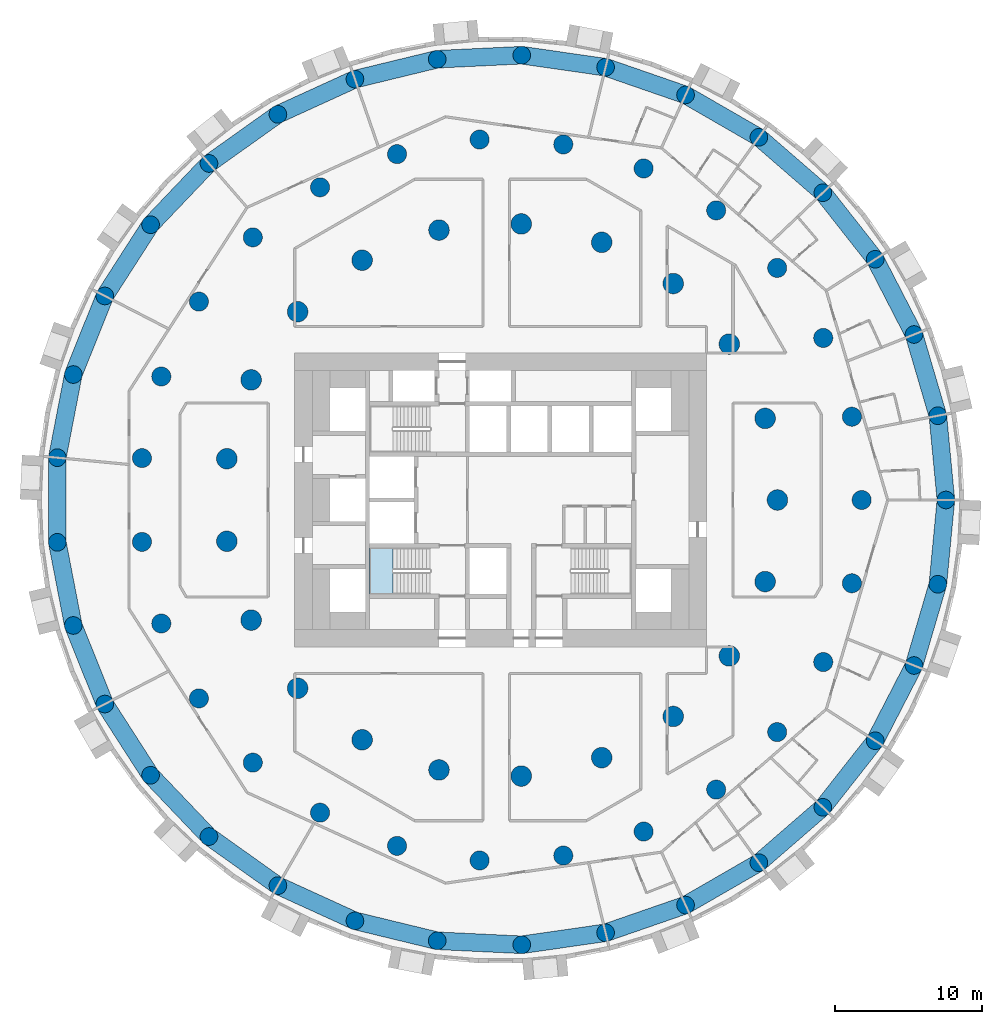
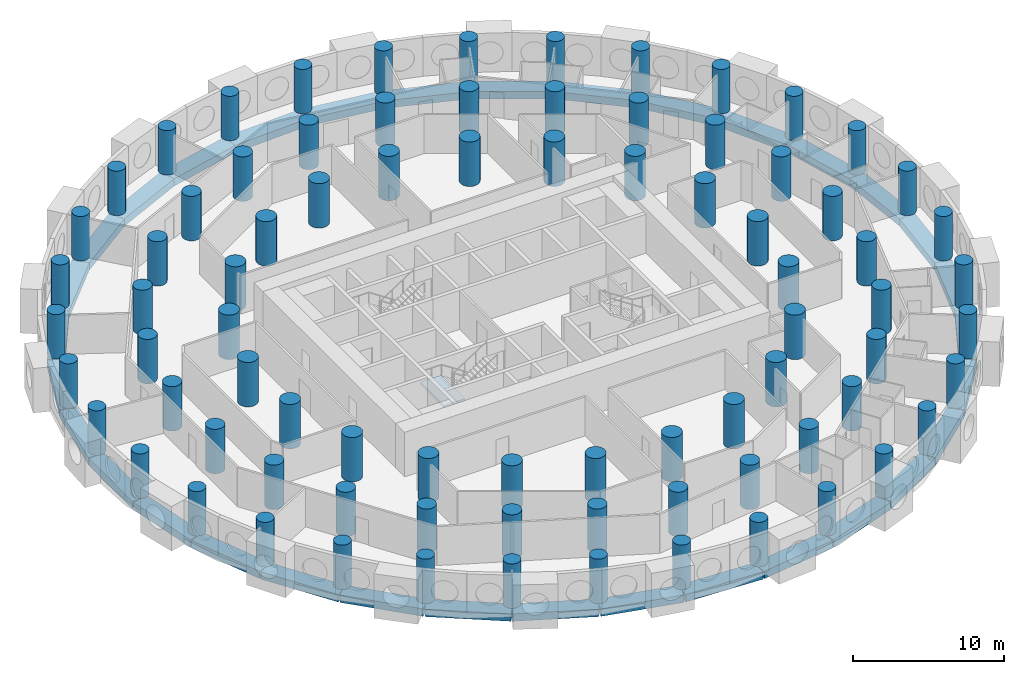
# One storey, part 1 of 12: 81 columns, 33 beams, 1 slab, 1 element without a shape of its own.
"""IFC4 building model written with IfcOpenShell, lengths in metres."""

from ifc_helpers import new_model, si_unit, direction, frame, origin, origin_2d, place, context, subcontext, project, spatial, polyline, rectangle, circle, outline, extrude, material, layer, layer_set, material_profile, profile_set, type_object, element, aggregate, save


model = new_model("IFC4")

# Units and contexts
model_context = context("Model", 3, precision=1e-05, world=origin(), true_north=direction((0.0, 1.0)))
body_context = subcontext(model_context, "Body", "Model", "MODEL_VIEW")
ifc_project = project(units=[si_unit("LENGTHUNIT", "METRE"), si_unit("AREAUNIT", "SQUARE_METRE"), si_unit("VOLUMEUNIT", "CUBIC_METRE"), si_unit("PLANEANGLEUNIT", "RADIAN"), si_unit("MASSUNIT", "GRAM", prefix="KILO")], contexts=[model_context])

# Site, building, storey
site_placement = place(None, origin())
site = spatial("IfcSite", under=ifc_project, at=site_placement, CompositionType="ELEMENT")
building_placement = place(site_placement, origin())
building = spatial("IfcBuilding", under=site, at=building_placement, Name="Tracery Tower", CompositionType="ELEMENT")
storey_placement = place(building_placement, frame((0.0, 0.0, 75.0)))
storey = spatial("IfcBuildingStorey", under=building, at=storey_placement, Name="L18", CompositionType="ELEMENT", Elevation=75.0)

# Columns
ifc_material_1 = material(Name="Concrete C60/75", Category="concrete")
ifc_material_profile_1 = material_profile(ifc_material_1, circle(Radius=0.60009765625, at=origin_2d()), Name="RC D1200")
ifc_profile_set_1 = profile_set([ifc_material_profile_1], Name="Concrete C60/75")
column_type_1 = type_object("IfcColumnType", Name="Ring 0 column 1200", PredefinedType="COLUMN", material=ifc_profile_set_1)
for number, where, z_axis, x_axis, name in (
    (1, (30.274658203125, 0.0, 0.0), (0.0, 0.0, 1.0), (1.0, 0.0, 0.0), "Ring 0 column 00 at L18"),
    (2, (29.7275390625, 5.7294921875, 0.0), (0.0, 0.0, 1.0), (1.0, 0.0, 0.0), "Ring 0 column 01 at L18"),
    (3, (28.10595703125, 11.251953125, 0.0), (0.0, 0.0, 1.0), (1.0, 0.0, 0.0), "Ring 0 column 02 at L18"),
    (4, (25.468505859375, 16.36767578125, 0.0), (0.0, 0.0, 1.0), (1.0, 0.0, 0.0), "Ring 0 column 03 at L18"),
    (5, (21.910888671875, 20.891845703125, 0.0), (0.0, 0.0, 1.0), (1.0, 0.0, 0.0), "Ring 0 column 04 at L18"),
    (6, (17.56103515625, 24.660888671875, 0.0), (0.0, 0.0, 1.0), (1.0, 0.0, 0.0), "Ring 0 column 05 at L18"),
    (7, (12.576416015625, 27.538818359375, 0.0), (0.0, 0.0, 1.0), (1.0, 0.0, 0.0), "Ring 0 column 06 at L18"),
    (8, (7.137451171875, 29.421142578125, 0.0), (0.0, 0.0, 1.0), (1.0, 0.0, 0.0), "Ring 0 column 07 at L18"),
    (9, (1.4404296875, 30.240234375, 0.0), (0.0, 0.0, 1.0), (1.0, 0.0, 0.0), "Ring 0 column 08 at L18"),
    (10, (-4.30859375, 29.96630859375, 0.0), (0.0, 0.0, 1.0), (1.0, 0.0, 0.0), "Ring 0 column 09 at L18"),
    (11, (-9.90185546875, 28.609619140625, 0.0), (0.0, 0.0, 1.0), (1.0, 0.0, 0.0), "Ring 0 column 10 at L18"),
    (12, (-15.13720703125, 26.218505859375, 0.0), (0.0, 0.0, 1.0), (1.0, 0.0, 0.0), "Ring 0 column 11 at L18"),
    (13, (-19.82568359375, 22.8798828125, 0.0), (0.0, 0.0, 1.0), (1.0, 0.0, 0.0), "Ring 0 column 12 at L18"),
    (14, (-23.79736328125, 18.714599609375, 0.0), (0.0, 0.0, 1.0), (1.0, 0.0, 0.0), "Ring 0 column 13 at L18"),
    (15, (-26.9091796875, 13.87255859375, 0.0), (0.0, 0.0, 1.0), (1.0, 0.0, 0.0), "Ring 0 column 14 at L18"),
    (16, (-29.04833984375, 8.529296875, 0.0), (0.0, 0.0, 1.0), (1.0, 0.0, 0.0), "Ring 0 column 15 at L18"),
    (17, (-30.137451171875, 2.877685546875, 0.0), (0.0, 0.0, 1.0), (1.0, 0.0, 0.0), "Ring 0 column 16 at L18"),
    (18, (-30.137451171875, -2.877685546875, 0.0), (0.0, 0.0, 1.0), (1.0, 0.0, 0.0), "Ring 0 column 17 at L18"),
    (19, (-29.04833984375, -8.529296875, 0.0), (0.0, 0.0, 1.0), (1.0, 0.0, 0.0), "Ring 0 column 18 at L18"),
    (20, (-26.9091796875, -13.87255859375, 0.0), (0.0, 0.0, 1.0), (1.0, 0.0, 0.0), "Ring 0 column 19 at L18"),
    (21, (-23.79736328125, -18.714599609375, 0.0), (0.0, 0.0, 1.0), (1.0, 0.0, 0.0), "Ring 0 column 20 at L18"),
    (22, (-19.82568359375, -22.8798828125, 0.0), (0.0, 0.0, 1.0), (1.0, 0.0, 0.0), "Ring 0 column 21 at L18"),
    (23, (-15.13720703125, -26.218505859375, 0.0), (0.0, 0.0, 1.0), (1.0, 0.0, 0.0), "Ring 0 column 22 at L18"),
    (24, (-9.90185546875, -28.609619140625, 0.0), (0.0, 0.0, 1.0), (1.0, 0.0, 0.0), "Ring 0 column 23 at L18"),
    (25, (-4.30859375, -29.96630859375, 0.0), (0.0, 0.0, 1.0), (1.0, 0.0, 0.0), "Ring 0 column 24 at L18"),
    (26, (1.4404296875, -30.240234375, 0.0), (0.0, 0.0, 1.0), (1.0, 0.0, 0.0), "Ring 0 column 25 at L18"),
    (27, (7.137451171875, -29.421142578125, 0.0), (0.0, 0.0, 1.0), (1.0, 0.0, 0.0), "Ring 0 column 26 at L18"),
    (28, (12.576416015625, -27.538818359375, 0.0), (0.0, 0.0, 1.0), (1.0, 0.0, 0.0), "Ring 0 column 27 at L18"),
    (29, (17.56103515625, -24.660888671875, 0.0), (0.0, 0.0, 1.0), (1.0, 0.0, 0.0), "Ring 0 column 28 at L18"),
    (30, (21.910888671875, -20.891845703125, 0.0), (0.0, 0.0, 1.0), (1.0, 0.0, 0.0), "Ring 0 column 29 at L18"),
    (31, (25.468505859375, -16.36767578125, 0.0), (0.0, 0.0, 1.0), (1.0, 0.0, 0.0), "Ring 0 column 30 at L18"),
    (32, (28.10595703125, -11.251953125, 0.0), (0.0, 0.0, 1.0), (1.0, 0.0, 0.0), "Ring 0 column 31 at L18"),
    (33, (29.7275390625, -5.7294921875, 0.0), (0.0, 0.0, 1.0), (1.0, 0.0, 0.0), "Ring 0 column 32 at L18"),
):
    element("IfcColumn", number, at=place(storey_placement, frame(where, z_axis=z_axis, x_axis=x_axis)), inside=storey, type_object=column_type_1, Name=name, PredefinedType="COLUMN", context=body_context, shape_type="SweptSolid", body=[
        extrude(circle(Radius=0.60009765625, at=origin_2d()), origin(), (0.0, 0.0, 1.0), 3.60009765625),
    ])
ifc_material_2 = material(Name="Concrete C60/75", Category="concrete")
ifc_material_profile_2 = material_profile(ifc_material_2, circle(Radius=0.64990234375, at=origin_2d()), Name="RC D1300")
ifc_profile_set_2 = profile_set([ifc_material_profile_2], Name="Concrete C60/75")
column_type_2 = type_object("IfcColumnType", Name="Ring 1 column 1300", PredefinedType="COLUMN", material=ifc_profile_set_2)
for number, where, z_axis, x_axis, name in (
    (34, (24.547607421875, 0.0, 0.0), (0.0, 0.0, 1.0), (1.0, 0.0, 0.0), "Ring 1 column 00 at L18"),
    (35, (23.885986328125, 5.6611328125, 0.0), (0.0, 0.0, 1.0), (1.0, 0.0, 0.0), "Ring 1 column 01 at L18"),
    (36, (21.9365234375, 11.01708984375, 0.0), (0.0, 0.0, 1.0), (1.0, 0.0, 0.0), "Ring 1 column 02 at L18"),
    (37, (18.8046875, 15.779052734375, 0.0), (0.0, 0.0, 1.0), (1.0, 0.0, 0.0), "Ring 1 column 03 at L18"),
    (38, (14.658935546875, 19.690185546875, 0.0), (0.0, 0.0, 1.0), (1.0, 0.0, 0.0), "Ring 1 column 04 at L18"),
    (39, (9.722900390625, 22.5400390625, 0.0), (0.0, 0.0, 1.0), (1.0, 0.0, 0.0), "Ring 1 column 05 at L18"),
    (40, (4.2626953125, 24.1748046875, 0.0), (0.0, 0.0, 1.0), (1.0, 0.0, 0.0), "Ring 1 column 06 at L18"),
    (41, (-1.42724609375, 24.506103515625, 0.0), (0.0, 0.0, 1.0), (1.0, 0.0, 0.0), "Ring 1 column 07 at L18"),
    (42, (-7.040283203125, 23.516357421875, 0.0), (0.0, 0.0, 1.0), (1.0, 0.0, 0.0), "Ring 1 column 08 at L18"),
    (43, (-12.273681640625, 21.2587890625, 0.0), (0.0, 0.0, 1.0), (1.0, 0.0, 0.0), "Ring 1 column 09 at L18"),
    (44, (-16.845703125, 17.855224609375, 0.0), (0.0, 0.0, 1.0), (1.0, 0.0, 0.0), "Ring 1 column 10 at L18"),
    (45, (-20.50927734375, 13.4892578125, 0.0), (0.0, 0.0, 1.0), (1.0, 0.0, 0.0), "Ring 1 column 11 at L18"),
    (46, (-23.0673828125, 8.395751953125, 0.0), (0.0, 0.0, 1.0), (1.0, 0.0, 0.0), "Ring 1 column 12 at L18"),
    (47, (-24.381591796875, 2.849853515625, 0.0), (0.0, 0.0, 1.0), (1.0, 0.0, 0.0), "Ring 1 column 13 at L18"),
    (48, (-24.381591796875, -2.849853515625, 0.0), (0.0, 0.0, 1.0), (1.0, 0.0, 0.0), "Ring 1 column 14 at L18"),
    (49, (-23.0673828125, -8.395751953125, 0.0), (0.0, 0.0, 1.0), (1.0, 0.0, 0.0), "Ring 1 column 15 at L18"),
    (50, (-20.50927734375, -13.4892578125, 0.0), (0.0, 0.0, 1.0), (1.0, 0.0, 0.0), "Ring 1 column 16 at L18"),
    (51, (-16.845703125, -17.85546875, 0.0), (0.0, 0.0, 1.0), (1.0, 0.0, 0.0), "Ring 1 column 17 at L18"),
    (52, (-12.27392578125, -21.2587890625, 0.0), (0.0, 0.0, 1.0), (1.0, 0.0, 0.0), "Ring 1 column 18 at L18"),
    (53, (-7.040283203125, -23.516357421875, 0.0), (0.0, 0.0, 1.0), (1.0, 0.0, 0.0), "Ring 1 column 19 at L18"),
    (54, (-1.42724609375, -24.506103515625, 0.0), (0.0, 0.0, 1.0), (1.0, 0.0, 0.0), "Ring 1 column 20 at L18"),
    (55, (4.2626953125, -24.1748046875, 0.0), (0.0, 0.0, 1.0), (1.0, 0.0, 0.0), "Ring 1 column 21 at L18"),
    (56, (9.722900390625, -22.5400390625, 0.0), (0.0, 0.0, 1.0), (1.0, 0.0, 0.0), "Ring 1 column 22 at L18"),
    (57, (14.658935546875, -19.690185546875, 0.0), (0.0, 0.0, 1.0), (1.0, 0.0, 0.0), "Ring 1 column 23 at L18"),
    (58, (18.8046875, -15.779052734375, 0.0), (0.0, 0.0, 1.0), (1.0, 0.0, 0.0), "Ring 1 column 24 at L18"),
    (59, (21.9365234375, -11.01708984375, 0.0), (0.0, 0.0, 1.0), (1.0, 0.0, 0.0), "Ring 1 column 25 at L18"),
    (60, (23.885986328125, -5.6611328125, 0.0), (0.0, 0.0, 1.0), (1.0, 0.0, 0.0), "Ring 1 column 26 at L18"),
):
    element("IfcColumn", number, at=place(storey_placement, frame(where, z_axis=z_axis, x_axis=x_axis)), inside=storey, type_object=column_type_2, Name=name, PredefinedType="COLUMN", context=body_context, shape_type="SweptSolid", body=[
        extrude(circle(Radius=0.64990234375, at=origin_2d()), origin(), (0.0, 0.0, 1.0), 3.60009765625),
    ])
ifc_material_3 = material(Name="Concrete C60/75", Category="concrete")
ifc_material_profile_3 = material_profile(ifc_material_3, circle(Radius=0.699951171875, at=origin_2d()), Name="RC D1400")
ifc_profile_set_3 = profile_set([ifc_material_profile_3], Name="Concrete C60/75")
column_type_3 = type_object("IfcColumnType", Name="Ring 2 column 1400", PredefinedType="COLUMN", material=ifc_profile_set_3)
for number, where, z_axis, x_axis, name in (
    (61, (18.822265625, 0.0, 0.0), (0.0, 0.0, 1.0), (1.0, 0.0, 0.0), "Ring 2 column 00 at L18"),
    (62, (17.986083984375, 5.5478515625, 0.0), (0.0, 0.0, 1.0), (1.0, 0.0, 0.0), "Ring 2 column 01 at L18"),
    (63, (15.551513671875, 10.602783203125, 0.0), (0.0, 0.0, 1.0), (1.0, 0.0, 0.0), "Ring 2 column 02 at L18"),
    (64, (11.7353515625, 14.7158203125, 0.0), (0.0, 0.0, 1.0), (1.0, 0.0, 0.0), "Ring 2 column 03 at L18"),
    (65, (6.87646484375, 17.52099609375, 0.0), (0.0, 0.0, 1.0), (1.0, 0.0, 0.0), "Ring 2 column 04 at L18"),
    (66, (1.406494140625, 18.76953125, 0.0), (0.0, 0.0, 1.0), (1.0, 0.0, 0.0), "Ring 2 column 05 at L18"),
    (67, (-4.188232421875, 18.350341796875, 0.0), (0.0, 0.0, 1.0), (1.0, 0.0, 0.0), "Ring 2 column 06 at L18"),
    (68, (-9.4111328125, 16.300537109375, 0.0), (0.0, 0.0, 1.0), (1.0, 0.0, 0.0), "Ring 2 column 07 at L18"),
    (69, (-13.797607421875, 12.802490234375, 0.0), (0.0, 0.0, 1.0), (1.0, 0.0, 0.0), "Ring 2 column 08 at L18"),
    (70, (-16.958251953125, 8.16650390625, 0.0), (0.0, 0.0, 1.0), (1.0, 0.0, 0.0), "Ring 2 column 09 at L18"),
    (71, (-18.612060546875, 2.805419921875, 0.0), (0.0, 0.0, 1.0), (1.0, 0.0, 0.0), "Ring 2 column 10 at L18"),
    (72, (-18.612060546875, -2.805419921875, 0.0), (0.0, 0.0, 1.0), (1.0, 0.0, 0.0), "Ring 2 column 11 at L18"),
    (73, (-16.958251953125, -8.166748046875, 0.0), (0.0, 0.0, 1.0), (1.0, 0.0, 0.0), "Ring 2 column 12 at L18"),
    (74, (-13.797607421875, -12.80224609375, 0.0), (0.0, 0.0, 1.0), (1.0, 0.0, 0.0), "Ring 2 column 13 at L18"),
    (75, (-9.4111328125, -16.300537109375, 0.0), (0.0, 0.0, 1.0), (1.0, 0.0, 0.0), "Ring 2 column 14 at L18"),
    (76, (-4.188232421875, -18.350341796875, 0.0), (0.0, 0.0, 1.0), (1.0, 0.0, 0.0), "Ring 2 column 15 at L18"),
    (77, (1.406494140625, -18.76953125, 0.0), (0.0, 0.0, 1.0), (1.0, 0.0, 0.0), "Ring 2 column 16 at L18"),
    (78, (6.87646484375, -17.52099609375, 0.0), (0.0, 0.0, 1.0), (1.0, 0.0, 0.0), "Ring 2 column 17 at L18"),
    (79, (11.7353515625, -14.7158203125, 0.0), (0.0, 0.0, 1.0), (1.0, 0.0, 0.0), "Ring 2 column 18 at L18"),
    (80, (15.551513671875, -10.602783203125, 0.0), (0.0, 0.0, 1.0), (1.0, 0.0, 0.0), "Ring 2 column 19 at L18"),
    (81, (17.986083984375, -5.5478515625, 0.0), (0.0, 0.0, 1.0), (1.0, 0.0, 0.0), "Ring 2 column 20 at L18"),
):
    element("IfcColumn", number, at=place(storey_placement, frame(where, z_axis=z_axis, x_axis=x_axis)), inside=storey, type_object=column_type_3, Name=name, PredefinedType="COLUMN", context=body_context, shape_type="SweptSolid", body=[
        extrude(circle(Radius=0.699951171875, at=origin_2d()), origin(), (0.0, 0.0, 1.0), 3.60009765625),
    ])

# Beams
ifc_material_4 = material(Name="Concrete C60/75", Category="concrete")
ifc_material_profile_4 = material_profile(ifc_material_4, rectangle(XDim=1.199951171875, YDim=0.60009765625, at=origin_2d()), Name="RC 1200x600")
ifc_profile_set_4 = profile_set([ifc_material_profile_4], Name="Concrete C60/75")
beam_type = type_object("IfcBeamType", Name="Perimeter band beam 1200x600", PredefinedType="BEAM", material=ifc_profile_set_4)
for number, where, z_axis, x_axis, name in (
    (82, (30.274658203125, 0.0, -0.75), (-0.095059309677, 0.995471610667, 0.0), (-0.995471610667, -0.095059309677, 0.0), "Perimeter beam 0.00 under L18"),
    (83, (29.7275390625, 5.7294921875, -0.75), (-0.281739145896, 0.959491038869, 0.0), (-0.959491038869, -0.281739145896, 0.0), "Perimeter beam 0.01 under L18"),
    (84, (28.10595703125, 11.251953125, -0.75), (-0.458242010493, 0.88882746347, 0.0), (-0.88882746347, -0.458242010493, 0.0), "Perimeter beam 0.02 under L18"),
):
    element("IfcBeam", number, at=place(storey_placement, frame(where, z_axis=z_axis, x_axis=x_axis)), inside=storey, type_object=beam_type, Name=name, PredefinedType="BEAM", context=body_context, shape_type="SweptSolid", body=[
        extrude(rectangle(XDim=1.199951171875, YDim=0.60009765625, at=origin_2d()), origin(), (0.0, 0.0, 1.0), 5.755615234375),
    ])
beam_1_placement = place(storey_placement, frame((25.468505859375, 16.36767578125, -0.75), z_axis=(-0.618134362257, 0.786072458618, 0.0), x_axis=(-0.786072458618, -0.618134362257, 0.0)))
element("IfcBeam", 85, at=beam_1_placement, inside=storey, type_object=beam_type, Name="Perimeter beam 0.03 under L18", PredefinedType="BEAM", context=body_context, shape_type="SweptSolid", body=[
    extrude(rectangle(XDim=1.199951171875, YDim=0.60009765625, at=origin_2d()), origin(), (0.0, 0.0, 1.0), 5.75537109375),
])
beam_2_placement = place(storey_placement, frame((21.910888671875, 20.891845703125, -0.75), z_axis=(-0.755760456715, 0.65484817482, 0.0), x_axis=(-0.65484817482, -0.755760456715, 0.0)))
element("IfcBeam", 86, at=beam_2_placement, inside=storey, type_object=beam_type, Name="Perimeter beam 0.04 under L18", PredefinedType="BEAM", context=body_context, shape_type="SweptSolid", body=[
    extrude(rectangle(XDim=1.199951171875, YDim=0.60009765625, at=origin_2d()), origin(), (0.0, 0.0, 1.0), 5.755615234375),
])
beam_3_placement = place(storey_placement, frame((17.56103515625, 24.660888671875, -0.75), z_axis=(-0.866021003874, 0.50000762079, 0.0), x_axis=(-0.50000762079, -0.866021003874, 0.0)))
element("IfcBeam", 87, at=beam_3_placement, inside=storey, type_object=beam_type, Name="Perimeter beam 0.05 under L18", PredefinedType="BEAM", context=body_context, shape_type="SweptSolid", body=[
    extrude(rectangle(XDim=1.199951171875, YDim=0.60009765625, at=origin_2d()), origin(), (0.0, 0.0, 1.0), 5.755859375),
])
beam_4_placement = place(storey_placement, frame((12.576416015625, 27.538818359375, -0.75), z_axis=(-0.945007252869, 0.327049372458, 0.0), x_axis=(-0.327049372458, -0.945007252869, 0.0)))
element("IfcBeam", 88, at=beam_4_placement, inside=storey, type_object=beam_type, Name="Perimeter beam 0.06 under L18", PredefinedType="BEAM", context=body_context, shape_type="SweptSolid", body=[
    extrude(rectangle(XDim=1.199951171875, YDim=0.60009765625, at=origin_2d()), origin(), (0.0, 0.0, 1.0), 5.75537109375),
])
for number, where, z_axis, x_axis, name in (
    (89, (7.137451171875, 29.421142578125, -0.75), (-0.989821839174, 0.142312075013, 0.0), (-0.142312075013, -0.989821839174, 0.0), "Perimeter beam 0.07 under L18"),
    (90, (1.4404296875, 30.240234375, -0.75), (-0.998866793759, -0.047593364303, 0.0), (0.047593364303, -0.998866793759, 0.0), "Perimeter beam 0.08 under L18"),
):
    element("IfcBeam", number, at=place(storey_placement, frame(where, z_axis=z_axis, x_axis=x_axis)), inside=storey, type_object=beam_type, Name=name, PredefinedType="BEAM", context=body_context, shape_type="SweptSolid", body=[
        extrude(rectangle(XDim=1.199951171875, YDim=0.60009765625, at=origin_2d()), origin(), (0.0, 0.0, 1.0), 5.755615234375),
    ])
beam_5_placement = place(storey_placement, frame((-4.30859375, 29.96630859375, -0.75), z_axis=(-0.971820371509, -0.235722645328, 0.0), x_axis=(0.235722645328, -0.971820371509, 0.0)))
element("IfcBeam", 91, at=beam_5_placement, inside=storey, type_object=beam_type, Name="Perimeter beam 0.09 under L18", PredefinedType="BEAM", context=body_context, shape_type="SweptSolid", body=[
    extrude(rectangle(XDim=1.199951171875, YDim=0.60009765625, at=origin_2d()), origin(), (0.0, 0.0, 1.0), 5.75537109375),
])
for number, where, z_axis, x_axis, name in (
    (92, (-9.90185546875, 28.609619140625, -0.75), (-0.909618316865, -0.415444963411, 0.0), (0.415444963411, -0.909618316865, 0.0), "Perimeter beam 0.10 under L18"),
    (93, (-15.13720703125, 26.218505859375, -0.75), (-0.8145780864, -0.580053912285, 0.0), (0.580053912285, -0.8145780864, 0.0), "Perimeter beam 0.11 under L18"),
):
    element("IfcBeam", number, at=place(storey_placement, frame(where, z_axis=z_axis, x_axis=x_axis)), inside=storey, type_object=beam_type, Name=name, PredefinedType="BEAM", context=body_context, shape_type="SweptSolid", body=[
        extrude(rectangle(XDim=1.199951171875, YDim=0.60009765625, at=origin_2d()), origin(), (0.0, 0.0, 1.0), 5.755615234375),
    ])
beam_6_placement = place(storey_placement, frame((-19.82568359375, 22.8798828125, -0.75), z_axis=(-0.690087218267, -0.723726212863, 0.0), x_axis=(0.723726212863, -0.690087218267, 0.0)))
element("IfcBeam", 94, at=beam_6_placement, inside=storey, type_object=beam_type, Name="Perimeter beam 0.12 under L18", PredefinedType="BEAM", context=body_context, shape_type="SweptSolid", body=[
    extrude(rectangle(XDim=1.199951171875, YDim=0.60009765625, at=origin_2d()), origin(), (0.0, 0.0, 1.0), 5.75537109375),
])
beam_7_placement = place(storey_placement, frame((-23.79736328125, 18.714599609375, -0.75), z_axis=(-0.540643964602, -0.841251510274, 0.0), x_axis=(0.841251510274, -0.540643964602, 0.0)))
element("IfcBeam", 95, at=beam_7_placement, inside=storey, type_object=beam_type, Name="Perimeter beam 0.13 under L18", PredefinedType="BEAM", context=body_context, shape_type="SweptSolid", body=[
    extrude(rectangle(XDim=1.199951171875, YDim=0.60009765625, at=origin_2d()), origin(), (0.0, 0.0, 1.0), 5.755859375),
])
for number, where, z_axis, x_axis, name in (
    (96, (-26.9091796875, 13.87255859375, -0.75), (-0.371668572289, -0.928365484264, 0.0), (0.928365484264, -0.371668572289, 0.0), "Perimeter beam 0.14 under L18"),
    (97, (-29.04833984375, 8.529296875, -0.75), (-0.189226539295, -0.981933458451, 0.0), (0.981933458451, -0.189226539295, 0.0), "Perimeter beam 0.15 under L18"),
):
    element("IfcBeam", number, at=place(storey_placement, frame(where, z_axis=z_axis, x_axis=x_axis)), inside=storey, type_object=beam_type, Name=name, PredefinedType="BEAM", context=body_context, shape_type="SweptSolid", body=[
        extrude(rectangle(XDim=1.199951171875, YDim=0.60009765625, at=origin_2d()), origin(), (0.0, 0.0, 1.0), 5.755615234375),
    ])
beam_8_placement = place(storey_placement, frame((-30.137451171875, 2.877685546875, -0.75), z_axis=(0.0, -1.0, 0.0), x_axis=(1.0, 0.0, 0.0)))
element("IfcBeam", 98, at=beam_8_placement, inside=storey, type_object=beam_type, Name="Perimeter beam 0.16 under L18", PredefinedType="BEAM", context=body_context, shape_type="SweptSolid", body=[
    extrude(rectangle(XDim=1.199951171875, YDim=0.60009765625, at=origin_2d()), origin(), (0.0, 0.0, 1.0), 5.75537109375),
])
for number, where, z_axis, x_axis, name in (
    (99, (-30.137451171875, -2.877685546875, -0.75), (0.189226539295, -0.981933458451, 0.0), (0.981933458451, 0.189226539295, 0.0), "Perimeter beam 0.17 under L18"),
    (100, (-29.04833984375, -8.529296875, -0.75), (0.371668572289, -0.928365484264, 0.0), (0.928365484264, 0.371668572289, 0.0), "Perimeter beam 0.18 under L18"),
):
    element("IfcBeam", number, at=place(storey_placement, frame(where, z_axis=z_axis, x_axis=x_axis)), inside=storey, type_object=beam_type, Name=name, PredefinedType="BEAM", context=body_context, shape_type="SweptSolid", body=[
        extrude(rectangle(XDim=1.199951171875, YDim=0.60009765625, at=origin_2d()), origin(), (0.0, 0.0, 1.0), 5.755615234375),
    ])
beam_9_placement = place(storey_placement, frame((-26.9091796875, -13.87255859375, -0.75), z_axis=(0.540643964602, -0.841251510274, 0.0), x_axis=(0.841251510274, 0.540643964602, 0.0)))
element("IfcBeam", 101, at=beam_9_placement, inside=storey, type_object=beam_type, Name="Perimeter beam 0.19 under L18", PredefinedType="BEAM", context=body_context, shape_type="SweptSolid", body=[
    extrude(rectangle(XDim=1.199951171875, YDim=0.60009765625, at=origin_2d()), origin(), (0.0, 0.0, 1.0), 5.755859375),
])
beam_10_placement = place(storey_placement, frame((-23.79736328125, -18.714599609375, -0.75), z_axis=(0.690087218267, -0.723726212863, 0.0), x_axis=(0.723726212863, 0.690087218267, 0.0)))
element("IfcBeam", 102, at=beam_10_placement, inside=storey, type_object=beam_type, Name="Perimeter beam 0.20 under L18", PredefinedType="BEAM", context=body_context, shape_type="SweptSolid", body=[
    extrude(rectangle(XDim=1.199951171875, YDim=0.60009765625, at=origin_2d()), origin(), (0.0, 0.0, 1.0), 5.75537109375),
])
for number, where, z_axis, x_axis, name in (
    (103, (-19.82568359375, -22.8798828125, -0.75), (0.8145780864, -0.580053912285, 0.0), (0.580053912285, 0.8145780864, 0.0), "Perimeter beam 0.21 under L18"),
    (104, (-15.13720703125, -26.218505859375, -0.75), (0.909618316865, -0.415444963411, 0.0), (0.415444963411, 0.909618316865, 0.0), "Perimeter beam 0.22 under L18"),
):
    element("IfcBeam", number, at=place(storey_placement, frame(where, z_axis=z_axis, x_axis=x_axis)), inside=storey, type_object=beam_type, Name=name, PredefinedType="BEAM", context=body_context, shape_type="SweptSolid", body=[
        extrude(rectangle(XDim=1.199951171875, YDim=0.60009765625, at=origin_2d()), origin(), (0.0, 0.0, 1.0), 5.755615234375),
    ])
beam_11_placement = place(storey_placement, frame((-9.90185546875, -28.609619140625, -0.75), z_axis=(0.971820371509, -0.235722645328, 0.0), x_axis=(0.235722645328, 0.971820371509, 0.0)))
element("IfcBeam", 105, at=beam_11_placement, inside=storey, type_object=beam_type, Name="Perimeter beam 0.23 under L18", PredefinedType="BEAM", context=body_context, shape_type="SweptSolid", body=[
    extrude(rectangle(XDim=1.199951171875, YDim=0.60009765625, at=origin_2d()), origin(), (0.0, 0.0, 1.0), 5.75537109375),
])
for number, where, z_axis, x_axis, name in (
    (106, (-4.30859375, -29.96630859375, -0.75), (0.998866793759, -0.047593364303, 0.0), (0.047593364303, 0.998866793759, 0.0), "Perimeter beam 0.24 under L18"),
    (107, (1.4404296875, -30.240234375, -0.75), (0.989821839174, 0.142312075013, 0.0), (-0.142312075013, 0.989821839174, 0.0), "Perimeter beam 0.25 under L18"),
):
    element("IfcBeam", number, at=place(storey_placement, frame(where, z_axis=z_axis, x_axis=x_axis)), inside=storey, type_object=beam_type, Name=name, PredefinedType="BEAM", context=body_context, shape_type="SweptSolid", body=[
        extrude(rectangle(XDim=1.199951171875, YDim=0.60009765625, at=origin_2d()), origin(), (0.0, 0.0, 1.0), 5.755615234375),
    ])
beam_12_placement = place(storey_placement, frame((7.137451171875, -29.421142578125, -0.75), z_axis=(0.945007252869, 0.327049372458, 0.0), x_axis=(-0.327049372458, 0.945007252869, 0.0)))
element("IfcBeam", 108, at=beam_12_placement, inside=storey, type_object=beam_type, Name="Perimeter beam 0.26 under L18", PredefinedType="BEAM", context=body_context, shape_type="SweptSolid", body=[
    extrude(rectangle(XDim=1.199951171875, YDim=0.60009765625, at=origin_2d()), origin(), (0.0, 0.0, 1.0), 5.75537109375),
])
beam_13_placement = place(storey_placement, frame((12.576416015625, -27.538818359375, -0.75), z_axis=(0.866021003874, 0.50000762079, 0.0), x_axis=(-0.50000762079, 0.866021003874, 0.0)))
element("IfcBeam", 109, at=beam_13_placement, inside=storey, type_object=beam_type, Name="Perimeter beam 0.27 under L18", PredefinedType="BEAM", context=body_context, shape_type="SweptSolid", body=[
    extrude(rectangle(XDim=1.199951171875, YDim=0.60009765625, at=origin_2d()), origin(), (0.0, 0.0, 1.0), 5.755859375),
])
beam_14_placement = place(storey_placement, frame((17.56103515625, -24.660888671875, -0.75), z_axis=(0.755760456715, 0.65484817482, 0.0), x_axis=(-0.65484817482, 0.755760456715, 0.0)))
element("IfcBeam", 110, at=beam_14_placement, inside=storey, type_object=beam_type, Name="Perimeter beam 0.28 under L18", PredefinedType="BEAM", context=body_context, shape_type="SweptSolid", body=[
    extrude(rectangle(XDim=1.199951171875, YDim=0.60009765625, at=origin_2d()), origin(), (0.0, 0.0, 1.0), 5.755615234375),
])
beam_15_placement = place(storey_placement, frame((21.910888671875, -20.891845703125, -0.75), z_axis=(0.618134362257, 0.786072458618, 0.0), x_axis=(-0.786072458618, 0.618134362257, 0.0)))
element("IfcBeam", 111, at=beam_15_placement, inside=storey, type_object=beam_type, Name="Perimeter beam 0.29 under L18", PredefinedType="BEAM", context=body_context, shape_type="SweptSolid", body=[
    extrude(rectangle(XDim=1.199951171875, YDim=0.60009765625, at=origin_2d()), origin(), (0.0, 0.0, 1.0), 5.75537109375),
])
for number, where, z_axis, x_axis, name in (
    (112, (25.468505859375, -16.36767578125, -0.75), (0.458242010493, 0.88882746347, 0.0), (-0.88882746347, 0.458242010493, 0.0), "Perimeter beam 0.30 under L18"),
    (113, (28.10595703125, -11.251953125, -0.75), (0.281739145896, 0.959491038869, 0.0), (-0.959491038869, 0.281739145896, 0.0), "Perimeter beam 0.31 under L18"),
    (114, (29.7275390625, -5.7294921875, -0.75), (0.095059309677, 0.995471610667, 0.0), (-0.995471610667, 0.095059309677, 0.0), "Perimeter beam 0.32 under L18"),
):
    element("IfcBeam", number, at=place(storey_placement, frame(where, z_axis=z_axis, x_axis=x_axis)), inside=storey, type_object=beam_type, Name=name, PredefinedType="BEAM", context=body_context, shape_type="SweptSolid", body=[
        extrude(rectangle(XDim=1.199951171875, YDim=0.60009765625, at=origin_2d()), origin(), (0.0, 0.0, 1.0), 5.755615234375),
    ])

# Stair, slab
ifc_material_5 = material(Name="Concrete C32/40", Category="concrete")
stair_type = type_object("IfcStairType", Name="Core stair 22 risers", PredefinedType="HALF_TURN_STAIR", material=ifc_material_5)
stair_placement = place(storey_placement, origin())
stair = element("IfcStair", 115, at=stair_placement, inside=storey, type_object=stair_type, Name="L18 stair ST1", PredefinedType="HALF_TURN_STAIR")
ifc_material_6 = material(Name="Concrete C32/40", Category="concrete")
ifc_layer = layer(ifc_material_6, 0.199951171875)
ifc_layer_set = layer_set([ifc_layer], Name="Stair landing slab 200")
slab_type = type_object("IfcSlabType", Name="Stair landing slab 200", PredefinedType="LANDING", material=ifc_layer_set)
slab_placement = place(storey_placement, frame((0.0, 0.0, 1.60009765625)))
slab = element("IfcSlab", 116, at=slab_placement, type_object=slab_type, Name="ST1 landing 1", PredefinedType="LANDING", context=body_context, shape_type="SweptSolid", body=[
    extrude(outline(polyline([(-7.29931640625, -3.25), (-8.89990234375, -3.25), (-8.89990234375, -6.39990234375), (-7.29931640625, -6.39990234375), (-7.29931640625, -3.25)])), origin(), (0.0, 0.0, 1.0), 0.199951171875),
])
aggregate(stair, [slab])

save(model, "model.ifc")
